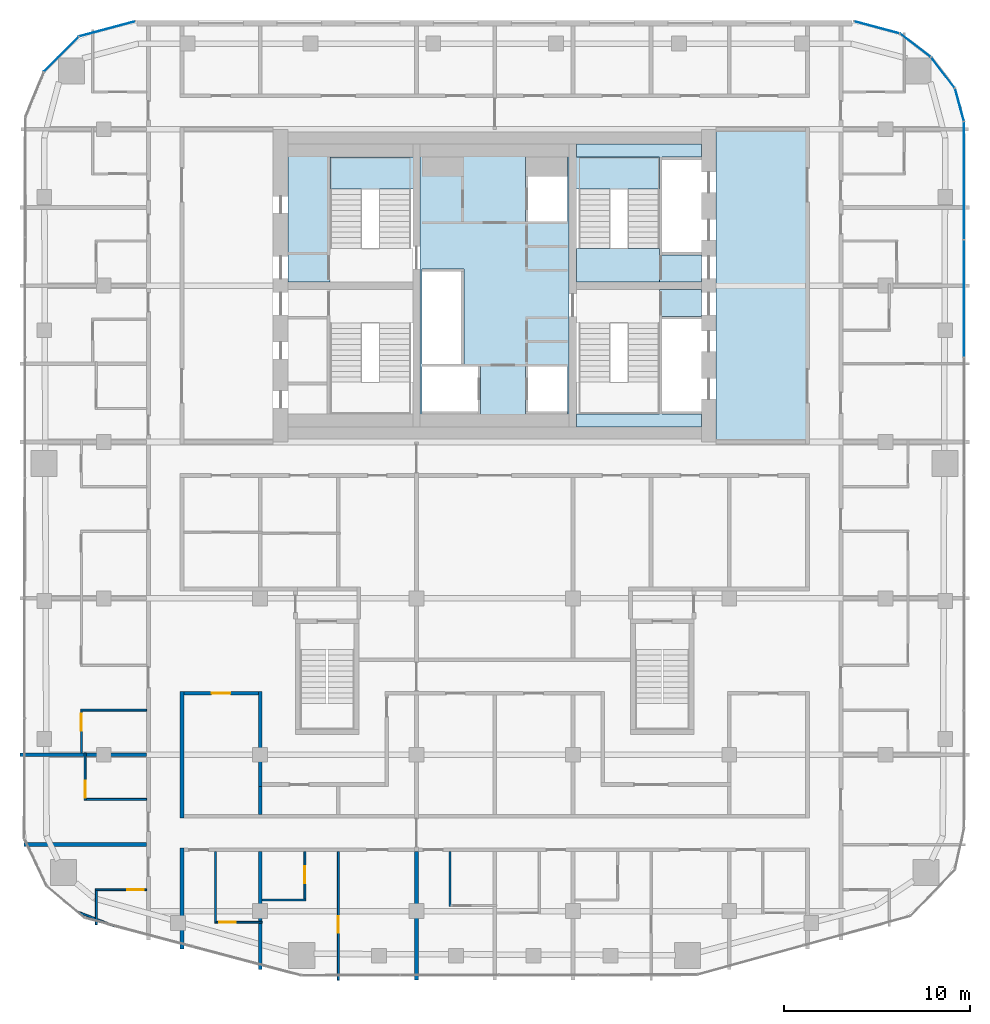
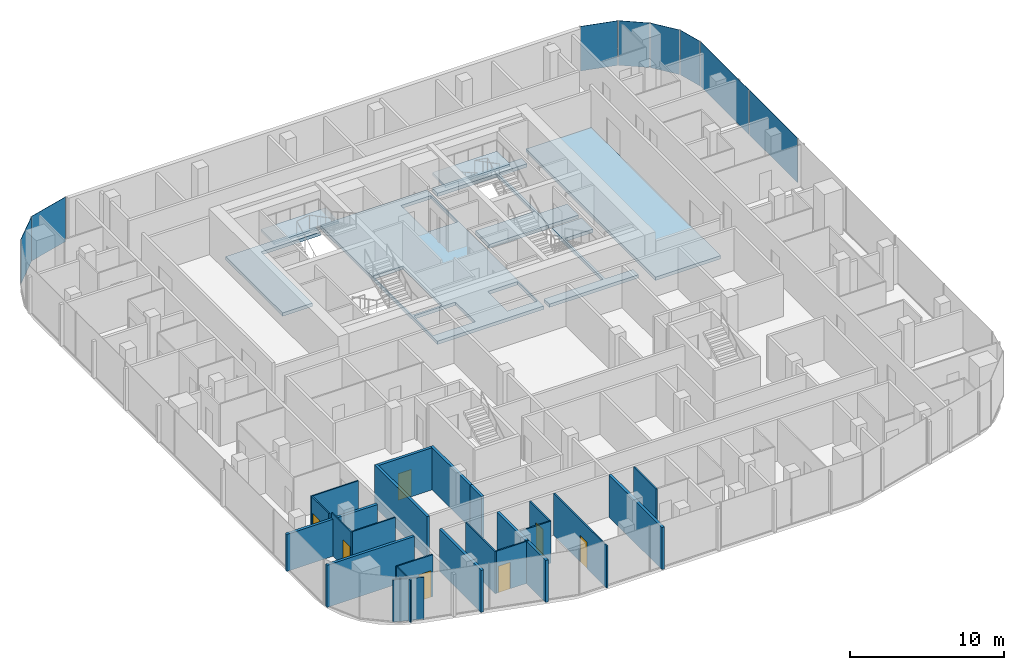
# One storey, part 13 of 22: 22 walls, 8 plates, 8 slabs, 7 doors, 7 openings, 9 elements without a shape of their own.
"""IFC4 building model written with IfcOpenShell, lengths in metres."""

from ifc_helpers import new_model, si_unit, direction, frame, frame_2d, origin, origin_2d, place, context, subcontext, project, spatial, polyline, rectangle, outline, extrude, material, layer, layer_set, type_object, element, fill, aggregate, save


model = new_model("IFC4")

# Units and contexts
model_context = context("Model", 3, precision=1e-05, world=origin(), true_north=direction((0.0, 1.0)))
body_context = subcontext(model_context, "Body", "Model", "MODEL_VIEW")
ifc_project = project(units=[si_unit("LENGTHUNIT", "METRE"), si_unit("AREAUNIT", "SQUARE_METRE"), si_unit("VOLUMEUNIT", "CUBIC_METRE"), si_unit("PLANEANGLEUNIT", "RADIAN"), si_unit("MASSUNIT", "GRAM", prefix="KILO")], contexts=[model_context])

# Site, building, storey
site_placement = place(None, origin())
site = spatial("IfcSite", under=ifc_project, at=site_placement, CompositionType="ELEMENT")
building_placement = place(site_placement, origin())
building = spatial("IfcBuilding", under=site, at=building_placement, Name="Marenta Gate Hotel Tower", CompositionType="ELEMENT")
storey_placement = place(building_placement, frame((0.0, 0.0, 238.10009765625)))
storey = spatial("IfcBuildingStorey", under=building, at=storey_placement, Name="L56", CompositionType="ELEMENT", Elevation=238.10009765625)

# Slabs
ifc_material_1 = material(Name="Concrete C40", Category="concrete")
ifc_layer_1 = layer(ifc_material_1, 0.260009765625)
ifc_layer_set_1 = layer_set([ifc_layer_1], Name="Concrete C40")
slab_type_1 = type_object("IfcSlabType", Name="Core floor slab 260", PredefinedType="FLOOR", material=ifc_layer_set_1)
slab_1_placement = place(storey_placement, frame((0.0, 0.0, -0.260009765625)))
element("IfcSlab", 1, at=slab_1_placement, inside=storey, type_object=slab_type_1, Name="L56-CF-1", PredefinedType="FLOOR", context=body_context, shape_type="SweptSolid", body=[
    extrude(outline(polyline([(11.89990234375, 0.0), (11.89990234375, 16.800048828125), (16.800048828125, 16.800048828125), (16.800048828125, 0.0), (11.89990234375, 0.0)])), origin(), (0.0, 0.0, 1.0), 0.260009765625),
])
slab_2_placement = place(storey_placement, frame((0.0, 0.0, -0.260009765625)))
element("IfcSlab", 2, at=slab_2_placement, inside=storey, type_object=slab_type_1, Name="L56-CF-2", PredefinedType="FLOOR", context=body_context, shape_type="SweptSolid", body=[
    extrude(outline(polyline([(8.85009765625, 1.5), (8.85009765625, 6.39990234375), (8.85009765625, 8.10009765625), (8.85009765625, 8.199951171875), (11.10009765625, 8.199951171875), (11.10009765625, 6.75), (9.0, 6.75), (9.0, 6.60009765625), (9.0, 4.199951171875), (9.0, 4.050048828125), (9.0, 1.64990234375), (9.0, 1.5), (11.10009765625, 1.5), (11.10009765625, 0.800048828125), (4.39990234375, 0.800048828125), (4.39990234375, 1.5), (8.85009765625, 1.5)])), origin(), (0.0, 0.0, 1.0), 0.260009765625),
])
slab_3_placement = place(storey_placement, frame((0.0, 0.0, -0.260009765625)))
element("IfcSlab", 3, at=slab_3_placement, inside=storey, type_object=slab_type_1, Name="L56-CF-3", PredefinedType="FLOOR", context=body_context, shape_type="SweptSolid", body=[
    extrude(outline(polyline([(8.85009765625, 15.300048828125), (4.39990234375, 15.300048828125), (4.39990234375, 16.0), (11.10009765625, 16.0), (11.10009765625, 15.300048828125), (9.0, 15.300048828125), (9.0, 15.14990234375), (9.0, 12.75), (9.0, 12.60009765625), (9.0, 10.199951171875), (9.0, 10.050048828125), (11.10009765625, 10.050048828125), (11.10009765625, 8.60009765625), (8.85009765625, 8.60009765625), (8.85009765625, 8.699951171875), (8.85009765625, 10.39990234375), (8.85009765625, 15.300048828125)])), origin(), (0.0, 0.0, 1.0), 0.260009765625),
])
slab_4_placement = place(storey_placement, frame((0.0, 0.0, -0.260009765625)))
element("IfcSlab", 4, at=slab_4_placement, inside=storey, type_object=slab_type_1, Name="L56-CF-4", PredefinedType="FLOOR", context=body_context, shape_type="SweptSolid", body=[
    extrude(outline(polyline([(4.0, 15.300048828125), (4.0, 10.39990234375), (4.0, 6.39990234375), (4.0, 1.5), (4.0, 0.800048828125), (-4.0, 0.800048828125), (-4.0, 1.5), (-4.0, 6.39990234375), (-4.0, 10.39990234375), (-4.0, 15.300048828125), (-4.0, 16.0), (4.0, 16.0), (4.0, 15.300048828125)]), holes=[polyline([(1.64990234375, 14.25), (1.64990234375, 11.85009765625), (1.800048828125, 11.85009765625), (3.89990234375, 11.85009765625), (3.89990234375, 14.25), (3.89990234375, 15.300048828125), (1.64990234375, 15.300048828125), (1.64990234375, 14.25)]), polyline([(3.89990234375, 1.64990234375), (3.89990234375, 4.050048828125), (1.800048828125, 4.050048828125), (1.64990234375, 4.050048828125), (1.64990234375, 1.64990234375), (1.64990234375, 1.5), (3.89990234375, 1.5), (3.89990234375, 1.64990234375)]), polyline([(-3.89990234375, 1.64990234375), (-3.89990234375, 1.5), (-0.89990234375, 1.5), (-0.75, 1.5), (-0.75, 4.050048828125), (-0.89990234375, 4.050048828125), (-3.89990234375, 4.050048828125), (-3.89990234375, 1.64990234375)]), polyline([(-1.800048828125, 4.199951171875), (-1.64990234375, 4.199951171875), (-1.64990234375, 9.14990234375), (-1.64990234375, 9.300048828125), (-3.89990234375, 9.300048828125), (-3.89990234375, 9.14990234375), (-3.89990234375, 6.75), (-3.89990234375, 6.60009765625), (-3.89990234375, 4.199951171875), (-1.800048828125, 4.199951171875)])]), origin(), (0.0, 0.0, 1.0), 0.260009765625),
])
slab_5_placement = place(storey_placement, frame((0.0, 0.0, -0.260009765625)))
element("IfcSlab", 5, at=slab_5_placement, inside=storey, type_object=slab_type_1, Name="L56-CF-6", PredefinedType="FLOOR", context=body_context, shape_type="SweptSolid", body=[
    extrude(outline(polyline([(-4.39990234375, 15.300048828125), (-8.85009765625, 15.300048828125), (-8.85009765625, 10.39990234375), (-8.85009765625, 8.699951171875), (-8.85009765625, 8.60009765625), (-11.10009765625, 8.60009765625), (-11.10009765625, 16.0), (-4.39990234375, 16.0), (-4.39990234375, 15.300048828125)])), origin(), (0.0, 0.0, 1.0), 0.260009765625),
])

# Stair, slab
ifc_material_2 = material(Name="Concrete C40", Category="concrete")
stair_type = type_object("IfcStairType", Name="Core exit stair 1700 wide", PredefinedType="HALF_TURN_STAIR", material=ifc_material_2)
stair_1_placement = place(storey_placement, origin())
stair_1 = element("IfcStair", 6, at=stair_1_placement, inside=storey, type_object=stair_type, Name="Exit stair 2", PredefinedType="HALF_TURN_STAIR")
ifc_material_3 = material(Name="Concrete C40", Category="concrete")
ifc_layer_2 = layer(ifc_material_3, 0.199951171875)
ifc_layer_set_2 = layer_set([ifc_layer_2], Name="Concrete C40")
slab_type_2 = type_object("IfcSlabType", Name="Core stair landing 200", PredefinedType="LANDING", material=ifc_layer_set_2)
slab_6_placement = place(storey_placement, frame((0.0, 0.0, 1.599853515625)))
slab_6 = element("IfcSlab", 7, at=slab_6_placement, type_object=slab_type_2, Name="SL-200 ST2 landing 1", PredefinedType="LANDING", context=body_context, shape_type="SweptSolid", body=[
    extrude(outline(polyline([(-8.85009765625, 13.590087890625), (-4.0, 13.590087890625), (-4.0, 15.300048828125), (-8.85009765625, 15.300048828125), (-8.85009765625, 13.590087890625)])), origin(), (0.0, 0.0, 1.0), 0.199951171875),
])
aggregate(stair_1, [slab_6])

stair_2_placement = place(storey_placement, origin())
stair_2 = element("IfcStair", 8, at=stair_2_placement, inside=storey, type_object=stair_type, Name="Exit stair 4", PredefinedType="HALF_TURN_STAIR")
slab_7_placement = place(storey_placement, frame((0.0, 0.0, 1.599853515625)))
slab_7 = element("IfcSlab", 9, at=slab_7_placement, type_object=slab_type_2, Name="SL-200 ST4 landing 1", PredefinedType="LANDING", context=body_context, shape_type="SweptSolid", body=[
    extrude(outline(polyline([(4.0, 13.590087890625), (8.85009765625, 13.590087890625), (8.85009765625, 15.300048828125), (4.0, 15.300048828125), (4.0, 13.590087890625)])), origin(), (0.0, 0.0, 1.0), 0.199951171875),
])
aggregate(stair_2, [slab_7])

# Curtain wall, plate
ifc_material_4 = material(Name="Tinted insulated glass in bronze anodised frame", Category="glass")
ifc_layer_3 = layer(ifc_material_4, 0.1201171875)
ifc_layer_set_3 = layer_set([ifc_layer_3], Name="Tinted insulated glass in bronze anodised frame")
curtain_wall_type = type_object("IfcCurtainWallType", Name="Tower unitised curtain wall CW1", PredefinedType="NOTDEFINED", material=ifc_layer_set_3)
curtain_wall_1_placement = place(storey_placement, origin())
curtain_wall_1 = element("IfcCurtainWall", 10, at=curtain_wall_1_placement, inside=storey, type_object=curtain_wall_type, Name="CW1 run G00", PredefinedType="NOTDEFINED")
ifc_material_5 = material(Name="Tinted insulated glass", Category="glass")
ifc_layer_4 = layer(ifc_material_5, 0.028076171875)
ifc_layer_set_4 = layer_set([ifc_layer_4], Name="Tinted insulated glass")
plate_type = type_object("IfcPlateType", Name="Glass panel CW1 28 mm tinted insulated unit", PredefinedType="CURTAIN_PANEL", material=ifc_layer_set_4)
plate_1_placement = place(storey_placement, frame((-20.813720703125, 22.19384765625, 0.059814453125), z_axis=(0.0, 0.0, 1.0), x_axis=(-0.965930559685, -0.258801379183, 0.0)))
plate_1 = element("IfcPlate", 11, at=plate_1_placement, type_object=plate_type, Name="CW1 panel 1.1", PredefinedType="CURTAIN_PANEL", context=body_context, shape_type="SweptSolid", body=[
    extrude(rectangle(XDim=3.104248046875, YDim=0.028076171875, at=origin_2d()), origin(), (0.0, 0.0, 1.0), 3.5400390625),
])
aggregate(curtain_wall_1, [plate_1])

curtain_wall_2_placement = place(storey_placement, origin())
curtain_wall_2 = element("IfcCurtainWall", 12, at=curtain_wall_2_placement, inside=storey, type_object=curtain_wall_type, Name="CW1 run G01", PredefinedType="NOTDEFINED")
plate_2_placement = place(storey_placement, frame((-23.279541015625, 20.825439453125, 0.059814453125), z_axis=(0.0, 0.0, 1.0), x_axis=(-0.707106781187, -0.707106781187, 0.0)))
plate_2 = element("IfcPlate", 13, at=plate_2_placement, type_object=plate_type, Name="CW1 panel 1.1", PredefinedType="CURTAIN_PANEL", context=body_context, shape_type="SweptSolid", body=[
    extrude(rectangle(XDim=2.614013671875, YDim=0.028076171875, at=origin_2d()), origin(), (0.0, 0.0, 1.0), 3.5400390625),
])
aggregate(curtain_wall_2, [plate_2])

# Curtain wall, plates
curtain_wall_3_placement = place(storey_placement, origin())
curtain_wall_3 = element("IfcCurtainWall", 14, at=curtain_wall_3_placement, inside=storey, type_object=curtain_wall_type, Name="CW1 run G11", PredefinedType="NOTDEFINED")
plate_3_placement = place(storey_placement, frame((25.214111328125, 7.7080078125, 0.059814453125), z_axis=(0.0, 0.0, 1.0), x_axis=(0.0, 1.0, 0.0)))
plate_3 = element("IfcPlate", 15, at=plate_3_placement, type_object=plate_type, Name="CW1 panel 5.1", PredefinedType="CURTAIN_PANEL", context=body_context, shape_type="SweptSolid", body=[
    extrude(rectangle(XDim=6.2626953125, YDim=0.028076171875, at=origin_2d()), origin(), (0.0, 0.0, 1.0), 3.5400390625),
])
plate_4_placement = place(storey_placement, frame((25.214111328125, 14.045654296875, 0.059814453125), z_axis=(0.0, 0.0, 1.0), x_axis=(0.0, 1.0, 0.0)))
plate_4 = element("IfcPlate", 16, at=plate_4_placement, type_object=plate_type, Name="CW1 panel 6.1", PredefinedType="CURTAIN_PANEL", context=body_context, shape_type="SweptSolid", body=[
    extrude(rectangle(XDim=6.29248046875, YDim=0.028076171875, at=origin_2d()), origin(), (0.0, 0.0, 1.0), 3.5400390625),
])
aggregate(curtain_wall_3, [plate_3, plate_4])

# Curtain wall, plate
curtain_wall_4_placement = place(storey_placement, origin())
curtain_wall_4 = element("IfcCurtainWall", 17, at=curtain_wall_4_placement, inside=storey, type_object=curtain_wall_type, Name="CW1 run G12", PredefinedType="NOTDEFINED")
plate_5_placement = place(storey_placement, frame((24.96630859375, 18.1162109375, 0.059814453125), z_axis=(0.0, 0.0, 1.0), x_axis=(-0.258824166754, 0.965924453932, 0.0)))
plate_5 = element("IfcPlate", 18, at=plate_5_placement, type_object=plate_type, Name="CW1 panel 1.1", PredefinedType="CURTAIN_PANEL", context=body_context, shape_type="SweptSolid", body=[
    extrude(rectangle(XDim=1.793701171875, YDim=0.028076171875, at=origin_2d()), origin(), (0.0, 0.0, 1.0), 3.5400390625),
])
aggregate(curtain_wall_4, [plate_5])

curtain_wall_5_placement = place(storey_placement, origin())
curtain_wall_5 = element("IfcCurtainWall", 19, at=curtain_wall_5_placement, inside=storey, type_object=curtain_wall_type, Name="CW1 run G13", PredefinedType="NOTDEFINED")
plate_6_placement = place(storey_placement, frame((24.0751953125, 19.84130859375, 0.059814453125), z_axis=(0.0, 0.0, 1.0), x_axis=(-0.608787499222, 0.793333335233, 0.0)))
plate_6 = element("IfcPlate", 20, at=plate_6_placement, type_object=plate_type, Name="CW1 panel 1.1", PredefinedType="CURTAIN_PANEL", context=body_context, shape_type="SweptSolid", body=[
    extrude(rectangle(XDim=2.045166015625, YDim=0.028076171875, at=origin_2d()), origin(), (0.0, 0.0, 1.0), 3.5400390625),
])
aggregate(curtain_wall_5, [plate_6])

curtain_wall_6_placement = place(storey_placement, origin())
curtain_wall_6 = element("IfcCurtainWall", 21, at=curtain_wall_6_placement, inside=storey, type_object=curtain_wall_type, Name="CW1 run G14", PredefinedType="NOTDEFINED")
plate_7_placement = place(storey_placement, frame((22.59375, 21.311767578125, 0.059814453125), z_axis=(0.0, 0.0, 1.0), x_axis=(-0.793333335233, 0.608787499222, 0.0)))
plate_7 = element("IfcPlate", 22, at=plate_7_placement, type_object=plate_type, Name="CW1 panel 1.1", PredefinedType="CURTAIN_PANEL", context=body_context, shape_type="SweptSolid", body=[
    extrude(rectangle(XDim=2.045166015625, YDim=0.028076171875, at=origin_2d()), origin(), (0.0, 0.0, 1.0), 3.5400390625),
])
aggregate(curtain_wall_6, [plate_7])

curtain_wall_7_placement = place(storey_placement, origin())
curtain_wall_7 = element("IfcCurtainWall", 23, at=curtain_wall_7_placement, inside=storey, type_object=curtain_wall_type, Name="CW1 run G15", PredefinedType="NOTDEFINED")
plate_8_placement = place(storey_placement, frame((20.51953125, 22.272705078125, 0.059814453125), z_axis=(0.0, 0.0, 1.0), x_axis=(-0.96592961764, 0.258804895175, 0.0)))
plate_8 = element("IfcPlate", 24, at=plate_8_placement, type_object=plate_type, Name="CW1 panel 1.1", PredefinedType="CURTAIN_PANEL", context=body_context, shape_type="SweptSolid", body=[
    extrude(rectangle(XDim=2.4951171875, YDim=0.028076171875, at=origin_2d()), origin(), (0.0, 0.0, 1.0), 3.5400390625),
])
aggregate(curtain_wall_7, [plate_8])

# Slab
ifc_material_6 = material(Name="Concrete C40", Category="concrete")
ifc_layer_5 = layer(ifc_material_6, 0.300048828125)
ifc_layer_set_5 = layer_set([ifc_layer_5], Name="Concrete C40")
slab_type_3 = type_object("IfcSlabType", Name="Stair floor landing slab 300", PredefinedType="FLOOR", material=ifc_layer_set_5)
slab_8_placement = place(storey_placement, frame((0.0, 0.0, -0.300048828125)))
element("IfcSlab", 25, at=slab_8_placement, inside=storey, type_object=slab_type_3, Name="L56-CL-ST4-1", PredefinedType="FLOOR", context=body_context, shape_type="SweptSolid", body=[
    extrude(outline(polyline([(4.39990234375, 8.60009765625), (4.39990234375, 10.39990234375), (8.85009765625, 10.39990234375), (8.85009765625, 8.699951171875), (8.85009765625, 8.60009765625), (4.39990234375, 8.60009765625)])), origin(), (0.0, 0.0, 1.0), 0.300048828125),
])

# Wall
ifc_material_7 = material(Name="Concrete blockwork", Category="masonry")
ifc_layer_6 = layer(ifc_material_7, 0.199951171875)
ifc_layer_set_6 = layer_set([ifc_layer_6], Name="Concrete blockwork")
wall_type_1 = type_object("IfcWallType", Name="Compartment wall 200 REI 180", PredefinedType="PARTITIONING", material=ifc_layer_set_6)
wall_1_placement = place(storey_placement, frame((-4.199951171875, -28.89990234375, 0.0), z_axis=(0.0, 0.0, 1.0), x_axis=(0.0, 1.0, 0.0)))
element("IfcWall", 26, at=wall_1_placement, inside=storey, type_object=wall_type_1, Name="L56-PTN-W078", PredefinedType="PARTITIONING", context=body_context, shape_type="SweptSolid", body=[
    extrude(rectangle(XDim=6.89990234375, YDim=0.199951171875, at=frame_2d((3.449951171875, 0.0))), origin(), (0.0, 0.0, 1.0), 3.33984375),
])

# Wall, opening, door
ifc_material_8 = material(Name="Gypsum board on steel stud", Category="steel")
ifc_layer_7 = layer(ifc_material_8, 0.199951171875)
ifc_layer_set_7 = layer_set([ifc_layer_7], Name="Gypsum board on steel stud")
wall_type_2 = type_object("IfcWallType", Name="Room corridor wall 200 EI 60", PredefinedType="PARTITIONING", material=ifc_layer_set_7)
wall_2_placement = place(storey_placement, frame((-16.699951171875, -13.5, 0.0), z_axis=(0.0, 0.0, 1.0), x_axis=(1.0, 0.0, 0.0)))
wall_2 = element("IfcWall", 27, at=wall_2_placement, inside=storey, type_object=wall_type_2, Name="L56-PTN-W035", PredefinedType="PARTITIONING", context=body_context, shape_type="SweptSolid", body=[
    extrude(rectangle(XDim=4.0, YDim=0.199951171875, at=frame_2d((2.0, 0.0))), origin(), (0.0, 0.0, 1.0), 3.33984375),
])
opening_1_placement = place(wall_2_placement, frame((1.5, 0.0, 0.0)))
opening_1 = element("IfcOpeningElement", 28, at=opening_1_placement, cuts=wall_2, Name="Opening G20-10", PredefinedType="OPENING", context=body_context, shape_type="SweptSolid", body=[
    extrude(rectangle(XDim=1.0, YDim=2.10009765625, at=frame_2d((0.5, 1.050048828125))), frame((0.0, 0.10009765625, 0.0), z_axis=(0.0, -1.0, 0.0), x_axis=(1.0, 0.0, 0.0)), (0.0, 0.0, 1.0), 0.199951171875),
])
ifc_material_9 = material(Name="Timber door leaf", Category="wood")
door_type_1 = type_object("IfcDoorType", Name="Room amenity door 1000x2100 EI 30", OperationType="NOTDEFINED", PredefinedType="DOOR", material=ifc_material_9)
door_1_placement = place(opening_1_placement, origin())
door_1 = element("IfcDoor", 29, at=door_1_placement, inside=storey, type_object=door_type_1, Name="L56-PD-D010", OperationType="SINGLE_SWING_RIGHT", OverallHeight=2.10009765625, OverallWidth=1.0, PredefinedType="DOOR", context=body_context, shape_type="SweptSolid", body=[
    extrude(rectangle(XDim=1.0, YDim=2.10009765625, at=frame_2d((0.5, 1.050048828125))), frame((0.0, 0.02490234375, 0.0), z_axis=(0.0, -1.0, 0.0), x_axis=(1.0, 0.0, 0.0)), (0.0, 0.0, 1.0), 0.050048828125),
])
fill(opening_1, door_1)

# Walls
wall_3_placement = place(storey_placement, frame((-12.60009765625, -18.5, 0.0), z_axis=(0.0, 0.0, 1.0), x_axis=(0.0, 1.0, 0.0)))
element("IfcWall", 30, at=wall_3_placement, inside=storey, type_object=wall_type_2, Name="L56-PTN-W101", PredefinedType="PARTITIONING", context=body_context, shape_type="SweptSolid", body=[
    extrude(rectangle(XDim=5.10009765625, YDim=0.199951171875, at=frame_2d((2.550048828125, 0.0))), origin(), (0.0, 0.0, 1.0), 3.33984375),
])
wall_4_placement = place(storey_placement, frame((-16.800048828125, -27.22900390625, 0.0), z_axis=(0.0, 0.0, 1.0), x_axis=(0.0, 1.0, 0.0)))
element("IfcWall", 31, at=wall_4_placement, inside=storey, type_object=wall_type_2, Name="L56-PTN-W107", PredefinedType="PARTITIONING", context=body_context, shape_type="SweptSolid", body=[
    extrude(rectangle(XDim=5.428955078125, YDim=0.199951171875, at=frame_2d((2.71435546875, 0.0))), origin(), (0.0, 0.0, 1.0), 3.33984375),
])
wall_5_placement = place(storey_placement, frame((-16.800048828125, -20.199951171875, 0.0), z_axis=(0.0, 0.0, 1.0), x_axis=(0.0, 1.0, 0.0)))
element("IfcWall", 32, at=wall_5_placement, inside=storey, type_object=wall_type_2, Name="L56-PTN-W108", PredefinedType="PARTITIONING", context=body_context, shape_type="SweptSolid", body=[
    extrude(rectangle(XDim=6.800048828125, YDim=0.199951171875, at=frame_2d((3.39990234375, 0.0))), origin(), (0.0, 0.0, 1.0), 3.33984375),
])
ifc_material_10 = material(Name="Gypsum board on steel stud", Category="steel")
ifc_layer_8 = layer(ifc_material_10, 0.10009765625)
ifc_layer_set_8 = layer_set([ifc_layer_8], Name="Gypsum board on steel stud")
wall_type_3 = type_object("IfcWallType", Name="Room partition 100", PredefinedType="PARTITIONING", material=ifc_layer_set_8)
wall_6_placement = place(storey_placement, frame((-22.385986328125, -25.2470703125, 0.0), z_axis=(0.0, 0.0, 1.0), x_axis=(0.932741240306, -0.360546499959, 0.0)))
element("IfcWall", 33, at=wall_6_placement, inside=storey, type_object=wall_type_3, Name="L56-PTN-W001", PredefinedType="PARTITIONING", context=body_context, shape_type="SweptSolid", body=[
    extrude(rectangle(XDim=2.06591796875, YDim=0.10009765625, at=frame_2d((1.032958984375, 0.0))), origin(), (0.0, 0.0, 1.0), 3.33984375),
])

# Wall, opening, door
wall_7_placement = place(storey_placement, frame((-14.949951171875, -25.800048828125, 0.0), z_axis=(0.0, 0.0, 1.0), x_axis=(1.0, 0.0, 0.0)))
wall_7 = element("IfcWall", 34, at=wall_7_placement, inside=storey, type_object=wall_type_3, Name="L56-PTN-W002", PredefinedType="PARTITIONING", context=body_context, shape_type="SweptSolid", body=[
    extrude(rectangle(XDim=2.449951171875, YDim=0.10009765625, at=frame_2d((1.22509765625, 0.0))), origin(), (0.0, 0.0, 1.0), 3.33984375),
])
opening_2_placement = place(wall_7_placement, frame((0.14990234375, 0.0, 0.0)))
opening_2 = element("IfcOpeningElement", 35, at=opening_2_placement, cuts=wall_7, Name="Opening G20-39", PredefinedType="OPENING", context=body_context, shape_type="SweptSolid", body=[
    extrude(rectangle(XDim=0.89990234375, YDim=2.10009765625, at=frame_2d((0.449951171875, 1.050048828125))), frame((0.0, 0.050048828125, 0.0), z_axis=(0.0, -1.0, 0.0), x_axis=(1.0, 0.0, 0.0)), (0.0, 0.0, 1.0), 0.10009765625),
])
ifc_material_11 = material(Name="Timber door leaf", Category="wood")
door_type_2 = type_object("IfcDoorType", Name="Guest bathroom door 900x2100", OperationType="NOTDEFINED", PredefinedType="DOOR", material=ifc_material_11)
door_2_placement = place(opening_2_placement, origin())
door_2 = element("IfcDoor", 36, at=door_2_placement, inside=storey, type_object=door_type_2, Name="L56-PD-D039", OperationType="SINGLE_SWING_LEFT", OverallHeight=2.10009765625, OverallWidth=0.89990234375, PredefinedType="DOOR", context=body_context, shape_type="SweptSolid", body=[
    extrude(rectangle(XDim=0.89990234375, YDim=2.10009765625, at=frame_2d((0.449951171875, 1.050048828125))), frame((0.0, 0.02490234375, 0.0), z_axis=(0.0, -1.0, 0.0), x_axis=(1.0, 0.0, 0.0)), (0.0, 0.0, 1.0), 0.050048828125),
])
fill(opening_2, door_2)

# Wall
wall_8_placement = place(storey_placement, frame((-12.5, -24.60009765625, 0.0), z_axis=(0.0, 0.0, 1.0), x_axis=(1.0, 0.0, 0.0)))
element("IfcWall", 37, at=wall_8_placement, inside=storey, type_object=wall_type_3, Name="L56-PTN-W006", PredefinedType="PARTITIONING", context=body_context, shape_type="SweptSolid", body=[
    extrude(rectangle(XDim=2.35009765625, YDim=0.10009765625, at=frame_2d((1.175048828125, 0.0))), origin(), (0.0, 0.0, 1.0), 3.33984375),
])

# Wall, opening, door
wall_9_placement = place(storey_placement, frame((-21.449951171875, -24.051025390625, 0.0), z_axis=(0.0, 0.0, 1.0), x_axis=(1.0, 0.0, 0.0)))
wall_9 = element("IfcWall", 38, at=wall_9_placement, inside=storey, type_object=wall_type_3, Name="L56-PTN-W008", PredefinedType="PARTITIONING", context=body_context, shape_type="SweptSolid", body=[
    extrude(rectangle(XDim=2.75, YDim=0.10009765625, at=frame_2d((1.375, 0.0))), origin(), (0.0, 0.0, 1.0), 3.33984375),
])
opening_3_placement = place(wall_9_placement, frame((1.7099609375, 0.0, 0.0)))
opening_3 = element("IfcOpeningElement", 39, at=opening_3_placement, cuts=wall_9, Name="Opening G20-53", PredefinedType="OPENING", context=body_context, shape_type="SweptSolid", body=[
    extrude(rectangle(XDim=0.89990234375, YDim=2.10009765625, at=frame_2d((0.449951171875, 1.050048828125))), frame((0.0, 0.050048828125, 0.0), z_axis=(0.0, -1.0, 0.0), x_axis=(1.0, 0.0, 0.0)), (0.0, 0.0, 1.0), 0.10009765625),
])
door_3_placement = place(opening_3_placement, origin())
door_3 = element("IfcDoor", 40, at=door_3_placement, inside=storey, type_object=door_type_2, Name="L56-PD-D053", OperationType="SINGLE_SWING_LEFT", OverallHeight=2.10009765625, OverallWidth=0.89990234375, PredefinedType="DOOR", context=body_context, shape_type="SweptSolid", body=[
    extrude(rectangle(XDim=0.89990234375, YDim=2.10009765625, at=frame_2d((0.449951171875, 1.050048828125))), frame((0.0, 0.02490234375, 0.0), z_axis=(0.0, -1.0, 0.0), x_axis=(1.0, 0.0, 0.0)), (0.0, 0.0, 1.0), 0.050048828125),
])
fill(opening_3, door_3)

# Walls
wall_10_placement = place(storey_placement, frame((-21.949951171875, -19.199951171875, 0.0), z_axis=(0.0, 0.0, 1.0), x_axis=(1.0, 0.0, 0.0)))
element("IfcWall", 41, at=wall_10_placement, inside=storey, type_object=wall_type_3, Name="L56-PTN-W022", PredefinedType="PARTITIONING", context=body_context, shape_type="SweptSolid", body=[
    extrude(rectangle(XDim=3.25, YDim=0.10009765625, at=frame_2d((1.625, 0.0))), origin(), (0.0, 0.0, 1.0), 3.33984375),
])
wall_11_placement = place(storey_placement, frame((-22.25, -14.39990234375, 0.0), z_axis=(0.0, 0.0, 1.0), x_axis=(1.0, 0.0, 0.0)))
element("IfcWall", 42, at=wall_11_placement, inside=storey, type_object=wall_type_3, Name="L56-PTN-W033", PredefinedType="PARTITIONING", context=body_context, shape_type="SweptSolid", body=[
    extrude(rectangle(XDim=3.550048828125, YDim=0.10009765625, at=frame_2d((1.77490234375, 0.0))), origin(), (0.0, 0.0, 1.0), 3.33984375),
])
wall_12_placement = place(storey_placement, frame((-2.39990234375, -24.949951171875, 0.0), z_axis=(0.0, 0.0, 1.0), x_axis=(0.0, 1.0, 0.0)))
element("IfcWall", 43, at=wall_12_placement, inside=storey, type_object=wall_type_3, Name="L56-PTN-W077", PredefinedType="PARTITIONING", context=body_context, shape_type="SweptSolid", body=[
    extrude(rectangle(XDim=2.949951171875, YDim=0.10009765625, at=frame_2d((1.47509765625, 0.0))), origin(), (0.0, 0.0, 1.0), 3.33984375),
])

# Wall, opening, door
wall_13_placement = place(storey_placement, frame((-8.39990234375, -28.89990234375, 0.0), z_axis=(0.0, 0.0, 1.0), x_axis=(0.0, 1.0, 0.0)))
wall_13 = element("IfcWall", 44, at=wall_13_placement, inside=storey, type_object=wall_type_3, Name="L56-PTN-W088", PredefinedType="PARTITIONING", context=body_context, shape_type="SweptSolid", body=[
    extrude(rectangle(XDim=6.89990234375, YDim=0.10009765625, at=frame_2d((3.449951171875, 0.0))), origin(), (0.0, 0.0, 1.0), 3.33984375),
])
opening_4_placement = place(wall_13_placement, frame((2.530029296875, 0.0, 0.0)))
opening_4 = element("IfcOpeningElement", 45, at=opening_4_placement, cuts=wall_13, Name="Opening G20-41", PredefinedType="OPENING", context=body_context, shape_type="SweptSolid", body=[
    extrude(rectangle(XDim=0.89990234375, YDim=2.10009765625, at=frame_2d((0.449951171875, 1.050048828125))), frame((0.0, 0.050048828125, 0.0), z_axis=(0.0, -1.0, 0.0), x_axis=(1.0, 0.0, 0.0)), (0.0, 0.0, 1.0), 0.10009765625),
])
ifc_material_12 = material(Name="Timber door leaf", Category="wood")
door_type_3 = type_object("IfcDoorType", Name="Room inner door 900x2100", OperationType="NOTDEFINED", PredefinedType="DOOR", material=ifc_material_12)
door_4_placement = place(opening_4_placement, origin())
door_4 = element("IfcDoor", 46, at=door_4_placement, inside=storey, type_object=door_type_3, Name="L56-PD-D041", OperationType="SINGLE_SWING_LEFT", OverallHeight=2.10009765625, OverallWidth=0.89990234375, PredefinedType="DOOR", context=body_context, shape_type="SweptSolid", body=[
    extrude(rectangle(XDim=0.89990234375, YDim=2.10009765625, at=frame_2d((0.449951171875, 1.050048828125))), frame((0.0, 0.02490234375, 0.0), z_axis=(0.0, -1.0, 0.0), x_axis=(1.0, 0.0, 0.0)), (0.0, 0.0, 1.0), 0.050048828125),
])
fill(opening_4, door_4)

wall_14_placement = place(storey_placement, frame((-10.199951171875, -24.550048828125, 0.0), z_axis=(0.0, 0.0, 1.0), x_axis=(0.0, 1.0, 0.0)))
wall_14 = element("IfcWall", 47, at=wall_14_placement, inside=storey, type_object=wall_type_3, Name="L56-PTN-W093", PredefinedType="PARTITIONING", context=body_context, shape_type="SweptSolid", body=[
    extrude(rectangle(XDim=2.550048828125, YDim=0.10009765625, at=frame_2d((1.27490234375, 0.0))), origin(), (0.0, 0.0, 1.0), 3.33984375),
])
opening_5_placement = place(wall_14_placement, frame((0.85009765625, 0.0, 0.0)))
opening_5 = element("IfcOpeningElement", 48, at=opening_5_placement, cuts=wall_14, Name="Opening G20-42", PredefinedType="OPENING", context=body_context, shape_type="SweptSolid", body=[
    extrude(rectangle(XDim=0.89990234375, YDim=2.10009765625, at=frame_2d((0.449951171875, 1.050048828125))), frame((0.0, 0.050048828125, 0.0), z_axis=(0.0, -1.0, 0.0), x_axis=(1.0, 0.0, 0.0)), (0.0, 0.0, 1.0), 0.10009765625),
])
door_5_placement = place(opening_5_placement, origin())
door_5 = element("IfcDoor", 49, at=door_5_placement, inside=storey, type_object=door_type_2, Name="L56-PD-D042", OperationType="SINGLE_SWING_RIGHT", OverallHeight=2.10009765625, OverallWidth=0.89990234375, PredefinedType="DOOR", context=body_context, shape_type="SweptSolid", body=[
    extrude(rectangle(XDim=0.89990234375, YDim=2.10009765625, at=frame_2d((0.449951171875, 1.050048828125))), frame((0.0, 0.02490234375, 0.0), z_axis=(0.0, -1.0, 0.0), x_axis=(1.0, 0.0, 0.0)), (0.0, 0.0, 1.0), 0.050048828125),
])
fill(opening_5, door_5)

# Walls
wall_15_placement = place(storey_placement, frame((-15.0, -25.85009765625, 0.0), z_axis=(0.0, 0.0, 1.0), x_axis=(0.0, 1.0, 0.0)))
element("IfcWall", 50, at=wall_15_placement, inside=storey, type_object=wall_type_3, Name="L56-PTN-W106", PredefinedType="PARTITIONING", context=body_context, shape_type="SweptSolid", body=[
    extrude(rectangle(XDim=3.85009765625, YDim=0.10009765625, at=frame_2d((1.925048828125, 0.0))), origin(), (0.0, 0.0, 1.0), 3.33984375),
])
wall_16_placement = place(storey_placement, frame((-21.39990234375, -25.927978515625, 0.0), z_axis=(0.0, 0.0, 1.0), x_axis=(0.0, 1.0, 0.0)))
element("IfcWall", 51, at=wall_16_placement, inside=storey, type_object=wall_type_3, Name="L56-PTN-W117", PredefinedType="PARTITIONING", context=body_context, shape_type="SweptSolid", body=[
    extrude(rectangle(XDim=1.826904296875, YDim=0.10009765625, at=frame_2d((0.91357421875, 0.0))), origin(), (0.0, 0.0, 1.0), 3.33984375),
])

# Wall, opening, door
wall_17_placement = place(storey_placement, frame((-22.0, -19.25, 0.0), z_axis=(0.0, 0.0, 1.0), x_axis=(0.0, 1.0, 0.0)))
wall_17 = element("IfcWall", 52, at=wall_17_placement, inside=storey, type_object=wall_type_3, Name="L56-PTN-W123", PredefinedType="PARTITIONING", context=body_context, shape_type="SweptSolid", body=[
    extrude(rectangle(XDim=2.550048828125, YDim=0.10009765625, at=frame_2d((1.27490234375, 0.0))), origin(), (0.0, 0.0, 1.0), 3.33984375),
])
opening_6_placement = place(wall_17_placement, frame((0.14990234375, 0.0, 0.0)))
opening_6 = element("IfcOpeningElement", 53, at=opening_6_placement, cuts=wall_17, Name="Opening G20-55", PredefinedType="OPENING", context=body_context, shape_type="SweptSolid", body=[
    extrude(rectangle(XDim=0.89990234375, YDim=2.10009765625, at=frame_2d((0.449951171875, 1.050048828125))), frame((0.0, 0.050048828125, 0.0), z_axis=(0.0, -1.0, 0.0), x_axis=(1.0, 0.0, 0.0)), (0.0, 0.0, 1.0), 0.10009765625),
])
door_6_placement = place(opening_6_placement, origin())
door_6 = element("IfcDoor", 54, at=door_6_placement, inside=storey, type_object=door_type_2, Name="L56-PD-D055", OperationType="SINGLE_SWING_RIGHT", OverallHeight=2.10009765625, OverallWidth=0.89990234375, PredefinedType="DOOR", context=body_context, shape_type="SweptSolid", body=[
    extrude(rectangle(XDim=0.89990234375, YDim=2.10009765625, at=frame_2d((0.449951171875, 1.050048828125))), frame((0.0, 0.02490234375, 0.0), z_axis=(0.0, -1.0, 0.0), x_axis=(1.0, 0.0, 0.0)), (0.0, 0.0, 1.0), 0.050048828125),
])
fill(opening_6, door_6)

wall_18_placement = place(storey_placement, frame((-22.199951171875, -16.699951171875, 0.0), z_axis=(0.0, 0.0, 1.0), x_axis=(0.0, 1.0, 0.0)))
wall_18 = element("IfcWall", 55, at=wall_18_placement, inside=storey, type_object=wall_type_3, Name="L56-PTN-W124", PredefinedType="PARTITIONING", context=body_context, shape_type="SweptSolid", body=[
    extrude(rectangle(XDim=2.25, YDim=0.10009765625, at=frame_2d((1.125, 0.0))), origin(), (0.0, 0.0, 1.0), 3.33984375),
])
opening_7_placement = place(wall_18_placement, frame((1.199951171875, 0.0, 0.0)))
opening_7 = element("IfcOpeningElement", 56, at=opening_7_placement, cuts=wall_18, Name="Opening G20-58", PredefinedType="OPENING", context=body_context, shape_type="SweptSolid", body=[
    extrude(rectangle(XDim=0.89990234375, YDim=2.10009765625, at=frame_2d((0.449951171875, 1.050048828125))), frame((0.0, 0.050048828125, 0.0), z_axis=(0.0, -1.0, 0.0), x_axis=(1.0, 0.0, 0.0)), (0.0, 0.0, 1.0), 0.10009765625),
])
door_7_placement = place(opening_7_placement, origin())
door_7 = element("IfcDoor", 57, at=door_7_placement, inside=storey, type_object=door_type_3, Name="L56-PD-D058", OperationType="SINGLE_SWING_LEFT", OverallHeight=2.10009765625, OverallWidth=0.89990234375, PredefinedType="DOOR", context=body_context, shape_type="SweptSolid", body=[
    extrude(rectangle(XDim=0.89990234375, YDim=2.10009765625, at=frame_2d((0.449951171875, 1.050048828125))), frame((0.0, 0.02490234375, 0.0), z_axis=(0.0, -1.0, 0.0), x_axis=(1.0, 0.0, 0.0)), (0.0, 0.0, 1.0), 0.050048828125),
])
fill(opening_7, door_7)

# Walls
ifc_material_13 = material(Name="Gypsum board on steel stud", Category="steel")
ifc_layer_9 = layer(ifc_material_13, 0.199951171875)
ifc_layer_set_9 = layer_set([ifc_layer_9], Name="Gypsum board on steel stud")
wall_type_4 = type_object("IfcWallType", Name="Room party wall 200 EI 60", PredefinedType="PARTITIONING", material=ifc_layer_set_9)
wall_19_placement = place(storey_placement, frame((-25.27587890625, -21.625, 0.0), z_axis=(0.0, 0.0, 1.0), x_axis=(1.0, 0.0, 0.0)))
element("IfcWall", 58, at=wall_19_placement, inside=storey, type_object=wall_type_4, Name="L56-PTN-W016", PredefinedType="PARTITIONING", context=body_context, shape_type="SweptSolid", body=[
    extrude(rectangle(XDim=6.575927734375, YDim=0.199951171875, at=frame_2d((3.2880859375, 0.0))), origin(), (0.0, 0.0, 1.0), 3.33984375),
])
wall_20_placement = place(storey_placement, frame((-25.5, -16.800048828125, 0.0), z_axis=(0.0, 0.0, 1.0), x_axis=(1.0, 0.0, 0.0)))
element("IfcWall", 59, at=wall_20_placement, inside=storey, type_object=wall_type_4, Name="L56-PTN-W030", PredefinedType="PARTITIONING", context=body_context, shape_type="SweptSolid", body=[
    extrude(rectangle(XDim=6.800048828125, YDim=0.199951171875, at=frame_2d((3.39990234375, 0.0))), origin(), (0.0, 0.0, 1.0), 2.93994140625),
])
wall_21_placement = place(storey_placement, frame((-12.60009765625, -28.343017578125, 0.0), z_axis=(0.0, 0.0, 1.0), x_axis=(0.0, 1.0, 0.0)))
element("IfcWall", 60, at=wall_21_placement, inside=storey, type_object=wall_type_4, Name="L56-PTN-W097", PredefinedType="PARTITIONING", context=body_context, shape_type="SweptSolid", body=[
    extrude(rectangle(XDim=6.343017578125, YDim=0.199951171875, at=frame_2d((3.17138671875, 0.0))), origin(), (0.0, 0.0, 1.0), 3.33984375),
])
wall_22_placement = place(storey_placement, frame((-12.60009765625, -20.0, 0.0), z_axis=(0.0, 0.0, 1.0), x_axis=(0.0, 1.0, 0.0)))
element("IfcWall", 61, at=wall_22_placement, inside=storey, type_object=wall_type_4, Name="L56-PTN-W098", PredefinedType="PARTITIONING", context=body_context, shape_type="SweptSolid", body=[
    extrude(rectangle(XDim=1.5, YDim=0.199951171875, at=frame_2d((0.75, 0.0))), origin(), (0.0, 0.0, 1.0), 3.33984375),
])

save(model, "model.ifc")
